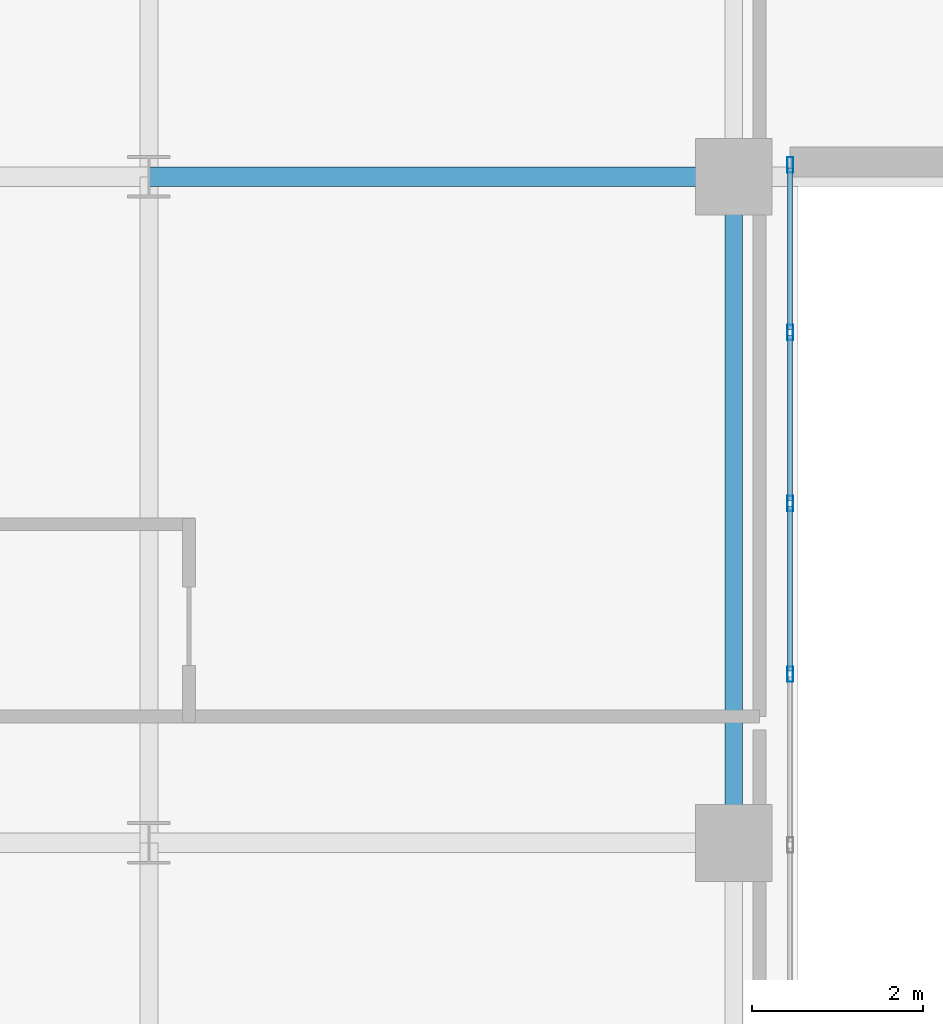
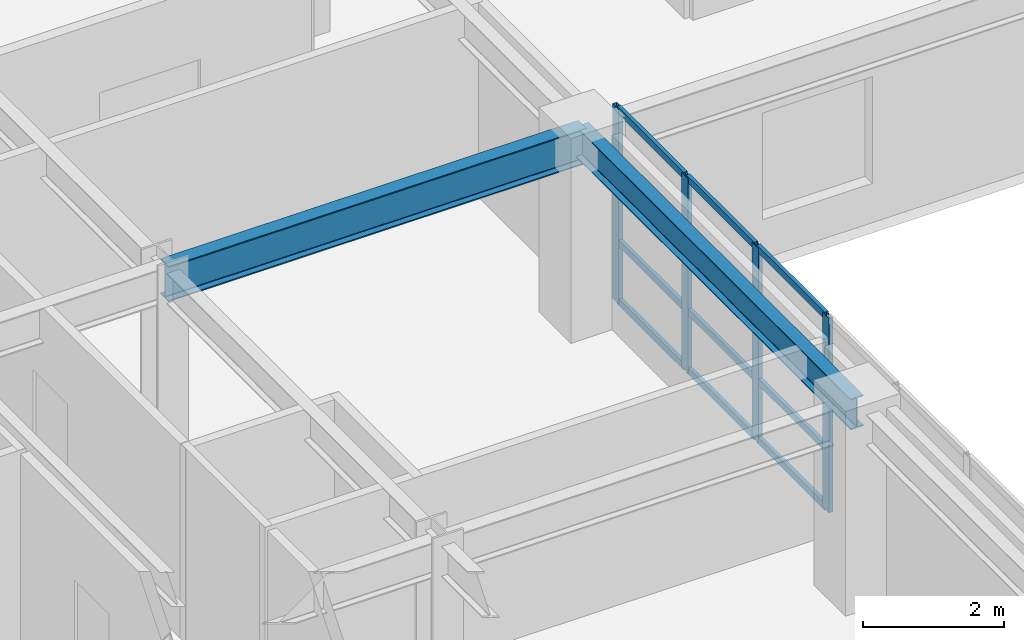
# One storey, part 3 of 16: 13 members, 2 beams, 1 element without a shape of its own.
"""IFC4 building model written with IfcOpenShell, lengths in metres."""

from ifc_helpers import new_model, si_unit, direction, frame, origin, origin_2d, place, context, subcontext, project, spatial, hollow_rectangle, i_section, extrude, source, transform, mapped, material, layer, layer_set, material_profile, profile_set, type_object, type_shapes, element, aggregate, save


model = new_model("IFC4")

# Units and contexts
model_context = context("Model", 3, precision=1e-05, world=origin(), true_north=direction((0.0, 1.0)))
body_context = subcontext(model_context, "Body", "Model", "MODEL_VIEW")
ifc_project = project(units=[si_unit("LENGTHUNIT", "METRE"), si_unit("AREAUNIT", "SQUARE_METRE"), si_unit("VOLUMEUNIT", "CUBIC_METRE"), si_unit("PLANEANGLEUNIT", "RADIAN"), si_unit("MASSUNIT", "GRAM", prefix="KILO")], contexts=[model_context])

# Site, building, storey
site_placement = place(None, origin())
site = spatial("IfcSite", under=ifc_project, at=site_placement, CompositionType="ELEMENT")
building_placement = place(site_placement, origin())
building = spatial("IfcBuilding", under=site, at=building_placement, Name="Tolvann Quenvar Hotel", CompositionType="ELEMENT")
storey_placement = place(building_placement, frame((0.0, 0.0, 115.10009765625)))
storey = spatial("IfcBuildingStorey", under=building, at=storey_placement, Name="L29", CompositionType="ELEMENT", Elevation=115.10009765625)

# Beams
ifc_material_1 = material(Name="Steel Grade 350", Category="steel")
ifc_material_profile_1 = material_profile(ifc_material_1, i_section(OverallWidth=0.22900390625, OverallDepth=0.612060546875, WebThickness=0.011962890625, FlangeThickness=0.01953125, FilletRadius=0.013916015625, at=origin_2d()), Name="610UB125")
ifc_profile_set_1 = profile_set([ifc_material_profile_1], Name="Steel Grade 350")
beam_type_1 = type_object("IfcBeamType", Name="BM_GIRD_610UB125", PredefinedType="BEAM", material=ifc_profile_set_1)
shared_shape_1 = source(origin(), body_context, "Body", "SweptSolid", [
    extrude(i_section(OverallWidth=0.22900390625, OverallDepth=0.612060546875, WebThickness=0.011962890625, FlangeThickness=0.01953125, FilletRadius=0.013916015625, at=origin_2d()), origin(), (0.0, 0.0, 1.0), 6.85009765625),
])
type_shapes(beam_type_1, [shared_shape_1])
beam_1_placement = place(storey_placement, frame((15.199951171875, 16.0, 3.06396484375), z_axis=(1.0, 0.0, 0.0), x_axis=(0.0, 1.0, 0.0)))
element("IfcBeam", 1, at=beam_1_placement, inside=storey, type_object=beam_type_1, Name="BM-L29-EW-4-D4-E4", PredefinedType="BEAM", context=body_context, shape_type="MappedRepresentation", body=[
    mapped(shared_shape_1, transform((0.0, 0.0, 0.0), x_axis=(1.0, 0.0, 0.0), y_axis=(0.0, 1.0, 0.0), z_axis=(0.0, 0.0, 1.0), scale=1.0)),
])
ifc_material_profile_2 = material_profile(ifc_material_1, i_section(OverallWidth=0.208984375, OverallDepth=0.532958984375, WebThickness=0.01025390625, FlangeThickness=0.015625, FilletRadius=0.013916015625, at=origin_2d()), Name="530UB92")
ifc_profile_set_2 = profile_set([ifc_material_profile_2], Name="Steel Grade 350")
beam_type_2 = type_object("IfcBeamType", Name="BM_GIRD_530UB92", PredefinedType="BEAM", material=ifc_profile_set_2)
shared_shape_2 = source(origin(), body_context, "Body", "SweptSolid", [
    extrude(i_section(OverallWidth=0.208984375, OverallDepth=0.532958984375, WebThickness=0.01025390625, FlangeThickness=0.015625, FilletRadius=0.013916015625, at=origin_2d()), origin(), (0.0, 0.0, 1.0), 7.800048828125),
])
type_shapes(beam_type_2, [shared_shape_2])
beam_2_placement = place(storey_placement, frame((22.050048828125, 8.199951171875, 3.103515625), z_axis=(0.0, 1.0, 0.0), x_axis=(-1.0, 0.0, 0.0)))
element("IfcBeam", 2, at=beam_2_placement, inside=storey, type_object=beam_type_2, Name="BM-L29-NS-E3-E4", PredefinedType="BEAM", context=body_context, shape_type="MappedRepresentation", body=[
    mapped(shared_shape_2, transform((0.0, 0.0, 0.0), x_axis=(1.0, 0.0, 0.0), y_axis=(0.0, 1.0, 0.0), z_axis=(0.0, 0.0, 1.0), scale=1.0)),
])

# Curtain wall, members
ifc_material_2 = material(Name="Thermally broken anodised architectural aluminium 6063-T6 and laminated low-E glass", Category="aluminium")
ifc_layer = layer(ifc_material_2, 0.179931640625)
ifc_layer_set = layer_set([ifc_layer], Name="Thermally broken anodised architectural aluminium 6063-T6 and laminated low-E glass")
curtain_wall_type = type_object("IfcCurtainWallType", Name="CW_SYS_SLOT_03", PredefinedType="USERDEFINED", material=ifc_layer_set)
curtain_wall_placement = place(storey_placement, origin())
curtain_wall = element("IfcCurtainWall", 3, at=curtain_wall_placement, inside=storey, type_object=curtain_wall_type, Name="Curtain Wall CW-SLOT-03 (CWR-L29-E05)", ObjectType="UNITISED CURTAIN WALL", PredefinedType="USERDEFINED")
ifc_material_3 = material(Name="Anodised architectural aluminium 6063-T6 framing", Category="aluminium")
ifc_material_profile_3 = material_profile(ifc_material_3, hollow_rectangle(XDim=0.06005859375, YDim=0.1201171875, WallThickness=0.00341796875, at=origin_2d()), Name="120x60x3.5RHS")
ifc_profile_set_3 = profile_set([ifc_material_profile_3], Name="Anodised architectural aluminium 6063-T6 framing")
member_type_1 = type_object("IfcMemberType", Name="CW_TRAN_120x60", PredefinedType="USERDEFINED", material=ifc_profile_set_3)
shared_shape_3 = source(origin(), body_context, "Body", "SweptSolid", [
    extrude(hollow_rectangle(XDim=0.06005859375, YDim=0.1201171875, WallThickness=0.00341796875, at=origin_2d()), origin(), (0.0, 0.0, 1.0), 1.929931640625),
])
member_1_placement = place(storey_placement, frame((22.7099609375, 10.2099609375, 0.02978515625), z_axis=(0.0, 1.0, 0.0), x_axis=(-1.0, 0.0, 0.0)))
member_1 = element("IfcMember", 4, at=member_1_placement, type_object=member_type_1, Name="CW-SLOT-03 transom 6.1", ObjectType="TRANSOM", PredefinedType="USERDEFINED", context=body_context, shape_type="MappedRepresentation", body=[
    mapped(shared_shape_3, transform((0.0, 0.0, 0.0), x_axis=(1.0, 0.0, 0.0), y_axis=(0.0, 1.0, 0.0), z_axis=(0.0, 0.0, 1.0), scale=1.0)),
])
member_2_placement = place(storey_placement, frame((22.7099609375, 10.2099609375, 1.0498046875), z_axis=(0.0, 1.0, 0.0), x_axis=(-1.0, 0.0, 0.0)))
member_2 = element("IfcMember", 5, at=member_2_placement, type_object=member_type_1, Name="CW-SLOT-03 transom 6.2", ObjectType="TRANSOM", PredefinedType="USERDEFINED", context=body_context, shape_type="MappedRepresentation", body=[
    mapped(shared_shape_3, transform((0.0, 0.0, 0.0), x_axis=(1.0, 0.0, 0.0), y_axis=(0.0, 1.0, 0.0), z_axis=(0.0, 0.0, 1.0), scale=1.0)),
])
member_3_placement = place(storey_placement, frame((22.7099609375, 10.2099609375, 3.33984375), z_axis=(0.0, 1.0, 0.0), x_axis=(-1.0, 0.0, 0.0)))
member_3 = element("IfcMember", 6, at=member_3_placement, type_object=member_type_1, Name="CW-SLOT-03 transom 6.3", ObjectType="TRANSOM", PredefinedType="USERDEFINED", context=body_context, shape_type="MappedRepresentation", body=[
    mapped(shared_shape_3, transform((0.0, 0.0, 0.0), x_axis=(1.0, 0.0, 0.0), y_axis=(0.0, 1.0, 0.0), z_axis=(0.0, 0.0, 1.0), scale=1.0)),
])
member_4_placement = place(storey_placement, frame((22.7099609375, 12.2099609375, 0.02978515625), z_axis=(0.0, 1.0, 0.0), x_axis=(-1.0, 0.0, 0.0)))
member_4 = element("IfcMember", 7, at=member_4_placement, type_object=member_type_1, Name="CW-SLOT-03 transom 7.1", ObjectType="TRANSOM", PredefinedType="USERDEFINED", context=body_context, shape_type="MappedRepresentation", body=[
    mapped(shared_shape_3, transform((0.0, 0.0, 0.0), x_axis=(1.0, 0.0, 0.0), y_axis=(0.0, 1.0, 0.0), z_axis=(0.0, 0.0, 1.0), scale=1.0)),
])
member_5_placement = place(storey_placement, frame((22.7099609375, 12.2099609375, 1.0498046875), z_axis=(0.0, 1.0, 0.0), x_axis=(-1.0, 0.0, 0.0)))
member_5 = element("IfcMember", 8, at=member_5_placement, type_object=member_type_1, Name="CW-SLOT-03 transom 7.2", ObjectType="TRANSOM", PredefinedType="USERDEFINED", context=body_context, shape_type="MappedRepresentation", body=[
    mapped(shared_shape_3, transform((0.0, 0.0, 0.0), x_axis=(1.0, 0.0, 0.0), y_axis=(0.0, 1.0, 0.0), z_axis=(0.0, 0.0, 1.0), scale=1.0)),
])
member_6_placement = place(storey_placement, frame((22.7099609375, 12.2099609375, 3.33984375), z_axis=(0.0, 1.0, 0.0), x_axis=(-1.0, 0.0, 0.0)))
member_6 = element("IfcMember", 9, at=member_6_placement, type_object=member_type_1, Name="CW-SLOT-03 transom 7.3", ObjectType="TRANSOM", PredefinedType="USERDEFINED", context=body_context, shape_type="MappedRepresentation", body=[
    mapped(shared_shape_3, transform((0.0, 0.0, 0.0), x_axis=(1.0, 0.0, 0.0), y_axis=(0.0, 1.0, 0.0), z_axis=(0.0, 0.0, 1.0), scale=1.0)),
])
shared_shape_4 = source(origin(), body_context, "Body", "SweptSolid", [
    extrude(hollow_rectangle(XDim=0.06005859375, YDim=0.1201171875, WallThickness=0.00341796875, at=origin_2d()), origin(), (0.0, 0.0, 1.0), 1.89501953125),
])
type_shapes(member_type_1, [shared_shape_3, shared_shape_4])
member_7_placement = place(storey_placement, frame((22.7099609375, 14.2099609375, 0.02978515625), z_axis=(0.0, 1.0, 0.0), x_axis=(-1.0, 0.0, 0.0)))
member_7 = element("IfcMember", 10, at=member_7_placement, type_object=member_type_1, Name="CW-SLOT-03 transom 8.1", ObjectType="TRANSOM", PredefinedType="USERDEFINED", context=body_context, shape_type="MappedRepresentation", body=[
    mapped(shared_shape_4, transform((0.0, 0.0, 0.0), x_axis=(1.0, 0.0, 0.0), y_axis=(0.0, 1.0, 0.0), z_axis=(0.0, 0.0, 1.0), scale=1.0)),
])
member_8_placement = place(storey_placement, frame((22.7099609375, 14.2099609375, 1.0498046875), z_axis=(0.0, 1.0, 0.0), x_axis=(-1.0, 0.0, 0.0)))
member_8 = element("IfcMember", 11, at=member_8_placement, type_object=member_type_1, Name="CW-SLOT-03 transom 8.2", ObjectType="TRANSOM", PredefinedType="USERDEFINED", context=body_context, shape_type="MappedRepresentation", body=[
    mapped(shared_shape_4, transform((0.0, 0.0, 0.0), x_axis=(1.0, 0.0, 0.0), y_axis=(0.0, 1.0, 0.0), z_axis=(0.0, 0.0, 1.0), scale=1.0)),
])
member_9_placement = place(storey_placement, frame((22.7099609375, 14.2099609375, 3.33984375), z_axis=(0.0, 1.0, 0.0), x_axis=(-1.0, 0.0, 0.0)))
member_9 = element("IfcMember", 12, at=member_9_placement, type_object=member_type_1, Name="CW-SLOT-03 transom 8.3", ObjectType="TRANSOM", PredefinedType="USERDEFINED", context=body_context, shape_type="MappedRepresentation", body=[
    mapped(shared_shape_4, transform((0.0, 0.0, 0.0), x_axis=(1.0, 0.0, 0.0), y_axis=(0.0, 1.0, 0.0), z_axis=(0.0, 0.0, 1.0), scale=1.0)),
])
ifc_material_profile_4 = material_profile(ifc_material_3, hollow_rectangle(XDim=0.070068359375, YDim=0.179931640625, WallThickness=0.00390625, at=origin_2d()), Name="180x70x4RHS")
ifc_profile_set_4 = profile_set([ifc_material_profile_4], Name="Anodised architectural aluminium 6063-T6 framing")
member_type_2 = type_object("IfcMemberType", Name="CW_MULL_180x70", PredefinedType="MULLION", material=ifc_profile_set_4)
shared_shape_5 = source(origin(), body_context, "Body", "SweptSolid", [
    extrude(hollow_rectangle(XDim=0.070068359375, YDim=0.179931640625, WallThickness=0.00390625, at=origin_2d()), origin(), (0.0, 0.0, 1.0), 3.369873046875),
])
type_shapes(member_type_2, [shared_shape_5])
member_10_placement = place(storey_placement, frame((22.7099609375, 10.175048828125, 0.0), z_axis=(0.0, 0.0, 1.0), x_axis=(-1.0, 0.0, 0.0)))
member_10 = element("IfcMember", 13, at=member_10_placement, type_object=member_type_2, Name="CW-SLOT-03 mullion 6", PredefinedType="MULLION", context=body_context, shape_type="MappedRepresentation", body=[
    mapped(shared_shape_5, transform((0.0, 0.0, 0.0), x_axis=(1.0, 0.0, 0.0), y_axis=(0.0, 1.0, 0.0), z_axis=(0.0, 0.0, 1.0), scale=1.0)),
])
member_11_placement = place(storey_placement, frame((22.7099609375, 12.175048828125, 0.0), z_axis=(0.0, 0.0, 1.0), x_axis=(-1.0, 0.0, 0.0)))
member_11 = element("IfcMember", 14, at=member_11_placement, type_object=member_type_2, Name="CW-SLOT-03 mullion 7", PredefinedType="MULLION", context=body_context, shape_type="MappedRepresentation", body=[
    mapped(shared_shape_5, transform((0.0, 0.0, 0.0), x_axis=(1.0, 0.0, 0.0), y_axis=(0.0, 1.0, 0.0), z_axis=(0.0, 0.0, 1.0), scale=1.0)),
])
member_12_placement = place(storey_placement, frame((22.7099609375, 14.175048828125, 0.0), z_axis=(0.0, 0.0, 1.0), x_axis=(-1.0, 0.0, 0.0)))
member_12 = element("IfcMember", 15, at=member_12_placement, type_object=member_type_2, Name="CW-SLOT-03 mullion 8", PredefinedType="MULLION", context=body_context, shape_type="MappedRepresentation", body=[
    mapped(shared_shape_5, transform((0.0, 0.0, 0.0), x_axis=(1.0, 0.0, 0.0), y_axis=(0.0, 1.0, 0.0), z_axis=(0.0, 0.0, 1.0), scale=1.0)),
])
member_13_placement = place(storey_placement, frame((22.7099609375, 16.139892578125, 0.0), z_axis=(0.0, 0.0, 1.0), x_axis=(-1.0, 0.0, 0.0)))
member_13 = element("IfcMember", 16, at=member_13_placement, type_object=member_type_2, Name="CW-SLOT-03 mullion 9", PredefinedType="MULLION", context=body_context, shape_type="MappedRepresentation", body=[
    mapped(shared_shape_5, transform((0.0, 0.0, 0.0), x_axis=(1.0, 0.0, 0.0), y_axis=(0.0, 1.0, 0.0), z_axis=(0.0, 0.0, 1.0), scale=1.0)),
])
aggregate(curtain_wall, [member_10, member_11, member_12, member_13, member_1, member_2, member_3, member_4, member_5, member_6, member_7, member_8, member_9])

save(model, "model.ifc")
